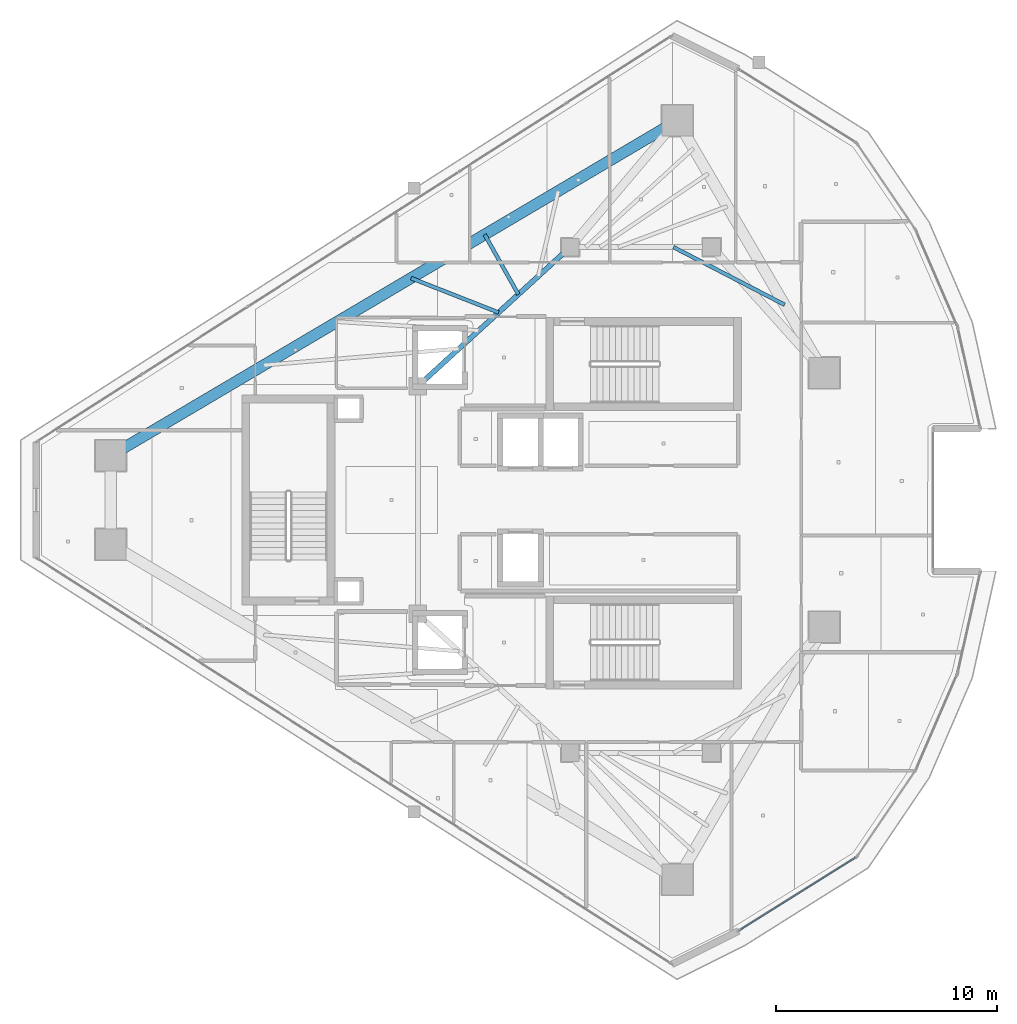
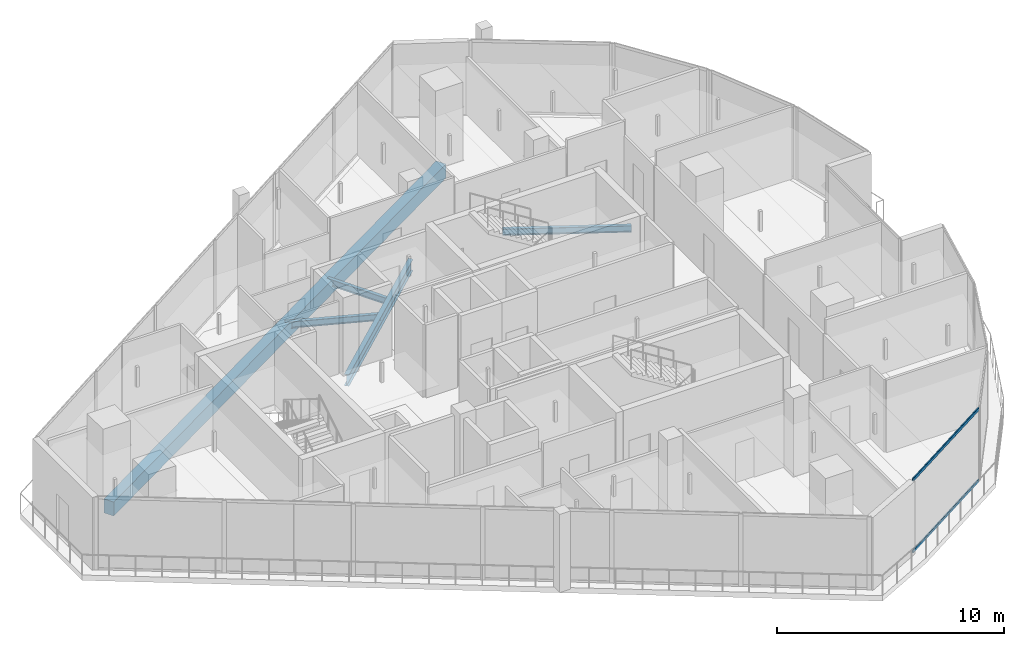
# One storey, part 8 of 24: 5 beams, 2 members, 1 element without a shape of its own.
"""IFC4 building model written with IfcOpenShell, lengths in metres."""

from ifc_helpers import new_model, si_unit, direction, frame, origin, origin_2d, place, context, subcontext, project, spatial, rectangle, hollow_rectangle, i_section, extrude, material, layer, layer_set, material_profile, profile_set, type_object, element, aggregate, save


model = new_model("IFC4")

# Units and contexts
model_context = context("Model", 3, precision=1e-05, world=origin(), true_north=direction((0.0, 1.0)))
body_context = subcontext(model_context, "Body", "Model", "MODEL_VIEW")
ifc_project = project(units=[si_unit("LENGTHUNIT", "METRE"), si_unit("AREAUNIT", "SQUARE_METRE"), si_unit("VOLUMEUNIT", "CUBIC_METRE"), si_unit("PLANEANGLEUNIT", "RADIAN"), si_unit("MASSUNIT", "GRAM", prefix="KILO")], contexts=[model_context])

# Site, building, storey
site_placement = place(None, origin())
site = spatial("IfcSite", under=ifc_project, at=site_placement, CompositionType="ELEMENT")
building_placement = place(site_placement, origin())
building = spatial("IfcBuilding", under=site, at=building_placement, Name="Qorvath Tower", CompositionType="ELEMENT")
storey_placement = place(building_placement, frame((0.0, 0.0, 318.60009765625)))
storey = spatial("IfcBuildingStorey", under=building, at=storey_placement, Name="L74", CompositionType="ELEMENT", Elevation=318.60009765625)

# Beams
ifc_material_1 = material(Name="Steel ASTM A992 Grade 50", Category="steel")
ifc_material_profile_1 = material_profile(ifc_material_1, i_section(OverallWidth=0.22998046875, OverallDepth=0.616943359375, WebThickness=0.01318359375, FlangeThickness=0.022216796875, FilletRadius=0.014892578125, at=origin_2d()), Name="W24x94")
ifc_profile_set_1 = profile_set([ifc_material_profile_1], Name="Steel ASTM A992 Grade 50")
beam_type_1 = type_object("IfcBeamType", Name="BM-FG6", PredefinedType="BEAM", material=ifc_profile_set_1)
beam_1_placement = place(storey_placement, frame((-30.5, 5.14990234375, -0.598388671875), z_axis=(0.73847813985, 0.6742774184, 0.0), x_axis=(-0.6742774184, 0.73847813985, 0.0)))
element("IfcBeam", 1, at=beam_1_placement, inside=storey, type_object=beam_type_1, Name="Core Ring Girder CC5-CC1 L74", PredefinedType="BEAM", context=body_context, shape_type="SweptSolid", body=[
    extrude(i_section(OverallWidth=0.22998046875, OverallDepth=0.616943359375, WebThickness=0.01318359375, FlangeThickness=0.022216796875, FilletRadius=0.014892578125, at=origin_2d()), origin(), (0.0, 0.0, 1.0), 9.343505859375),
])
ifc_material_2 = material(Name="Steel ASTM A992 Grade 50", Category="steel")
ifc_material_profile_2 = material_profile(ifc_material_2, i_section(OverallWidth=0.1708984375, OverallDepth=0.35107421875, WebThickness=0.0068359375, FlangeThickness=0.009765625, FilletRadius=0.010009765625, at=origin_2d()), Name="W14x30")
ifc_profile_set_2 = profile_set([ifc_material_profile_2], Name="Steel ASTM A992 Grade 50")
beam_type_2 = type_object("IfcBeamType", Name="BM-FJ4", PredefinedType="JOIST", material=ifc_profile_set_2)
beam_2_placement = place(storey_placement, frame((-18.927978515625, 11.449951171875, -0.465576171875), z_axis=(0.887840529015, -0.460151274082, 0.0), x_axis=(0.460151274082, 0.887840529015, 0.0)))
element("IfcBeam", 2, at=beam_2_placement, inside=storey, type_object=beam_type_2, Name="Composite Floor Joist NE2 L74", PredefinedType="JOIST", context=body_context, shape_type="SweptSolid", body=[
    extrude(i_section(OverallWidth=0.1708984375, OverallDepth=0.35107421875, WebThickness=0.0068359375, FlangeThickness=0.009765625, FilletRadius=0.010009765625, at=origin_2d()), origin(), (0.0, 0.0, 1.0), 5.670654296875),
])
beam_3_placement = place(storey_placement, frame((-26.843017578125, 8.489013671875, -0.465576171875), z_axis=(-0.930720832638, 0.365730408489, 0.0), x_axis=(-0.365730408489, -0.930720832638, 0.0)))
element("IfcBeam", 3, at=beam_3_placement, inside=storey, type_object=beam_type_2, Name="Composite Floor Joist NW4 L74", PredefinedType="JOIST", context=body_context, shape_type="SweptSolid", body=[
    extrude(i_section(OverallWidth=0.1708984375, OverallDepth=0.35107421875, WebThickness=0.0068359375, FlangeThickness=0.009765625, FilletRadius=0.010009765625, at=origin_2d()), origin(), (0.0, 0.0, 1.0), 4.259033203125),
])
beam_4_placement = place(storey_placement, frame((-25.946044921875, 9.30810546875, -0.465576171875), z_axis=(-0.490626385489, 0.871370041866, 0.0), x_axis=(-0.871370041866, -0.490626385489, 0.0)))
element("IfcBeam", 4, at=beam_4_placement, inside=storey, type_object=beam_type_2, Name="Composite Floor Joist NW5 L74", PredefinedType="JOIST", context=body_context, shape_type="SweptSolid", body=[
    extrude(i_section(OverallWidth=0.1708984375, OverallDepth=0.35107421875, WebThickness=0.0068359375, FlangeThickness=0.009765625, FilletRadius=0.010009765625, at=origin_2d()), origin(), (0.0, 0.0, 1.0), 3.110595703125),
])
ifc_material_3 = material(Name="Concrete C45/55", Category="concrete")
ifc_material_profile_3 = material_profile(ifc_material_3, rectangle(XDim=0.5, YDim=0.75, at=origin_2d()), Name="RCB 750x500")
ifc_profile_set_3 = profile_set([ifc_material_profile_3], Name="Concrete C45/55")
beam_type_3 = type_object("IfcBeamType", Name="BM-RCB3", PredefinedType="SPANDREL", material=ifc_profile_set_3)
beam_5_placement = place(storey_placement, frame((-18.75048828125, 17.175537109375, -0.6650390625), z_axis=(-0.860780849348, -0.508975765038, 0.0), x_axis=(0.508975765038, -0.860780849348, 0.0)))
element("IfcBeam", 5, at=beam_5_placement, inside=storey, type_object=beam_type_3, Name="Perimeter Loggia Frame Beam MC6-MC1 L74", PredefinedType="SPANDREL", context=body_context, shape_type="SweptSolid", body=[
    extrude(rectangle(XDim=0.5, YDim=0.75, at=origin_2d()), origin(), (0.0, 0.0, 1.0), 29.801025390625),
])

# Curtain wall, members
ifc_material_4 = material(Name="Anodised aluminium and triple low-E glass", Category="aluminium")
ifc_layer = layer(ifc_material_4, 0.179931640625)
ifc_layer_set = layer_set([ifc_layer], Name="CW-SYS-4")
curtain_wall_type = type_object("IfcCurtainWallType", Name="CW-SYS-4", PredefinedType="NOTDEFINED", material=ifc_layer_set)
curtain_wall_placement = place(storey_placement, origin())
curtain_wall = element("IfcCurtainWall", 6, at=curtain_wall_placement, inside=storey, type_object=curtain_wall_type, Name="Curtain Wall CW-4 CW-T-L74-4.1", PredefinedType="NOTDEFINED")
ifc_material_5 = material(Name="Anodised aluminium 6063-T6", Category="aluminium")
ifc_material_profile_4 = material_profile(ifc_material_5, hollow_rectangle(XDim=0.06494140625, YDim=0.159912109375, WallThickness=0.00341796875, InnerFilletRadius=0.00341796875, OuterFilletRadius=0.007080078125, at=origin_2d()), Name="CWT 160x65")
ifc_profile_set_4 = profile_set([ifc_material_profile_4], Name="Anodised aluminium 6063-T6")
member_type = type_object("IfcMemberType", Name="CWT-160", PredefinedType="USERDEFINED", material=ifc_profile_set_4)
member_1_placement = place(storey_placement, frame((-15.92724609375, -19.478271484375, 0.032470703125), z_axis=(0.847174054247, 0.531315463552, 0.0), x_axis=(-0.531315463552, 0.847174054247, 0.0)))
member_1 = element("IfcMember", 7, at=member_1_placement, type_object=member_type, Name="CW-4 transom 1.1", ObjectType="TRANSOM", PredefinedType="USERDEFINED", context=body_context, shape_type="SweptSolid", body=[
    extrude(hollow_rectangle(XDim=0.06494140625, YDim=0.159912109375, WallThickness=0.00341796875, InnerFilletRadius=0.00341796875, OuterFilletRadius=0.007080078125, at=origin_2d()), origin(), (0.0, 0.0, 1.0), 6.18115234375),
])
member_2_placement = place(storey_placement, frame((-15.92724609375, -19.478271484375, 3.87744140625), z_axis=(0.847174054247, 0.531315463552, 0.0), x_axis=(-0.531315463552, 0.847174054247, 0.0)))
member_2 = element("IfcMember", 8, at=member_2_placement, type_object=member_type, Name="CW-4 transom 1.2", ObjectType="TRANSOM", PredefinedType="USERDEFINED", context=body_context, shape_type="SweptSolid", body=[
    extrude(hollow_rectangle(XDim=0.06494140625, YDim=0.159912109375, WallThickness=0.00341796875, InnerFilletRadius=0.00341796875, OuterFilletRadius=0.007080078125, at=origin_2d()), origin(), (0.0, 0.0, 1.0), 6.18115234375),
])
aggregate(curtain_wall, [member_1, member_2])

save(model, "model.ifc")
